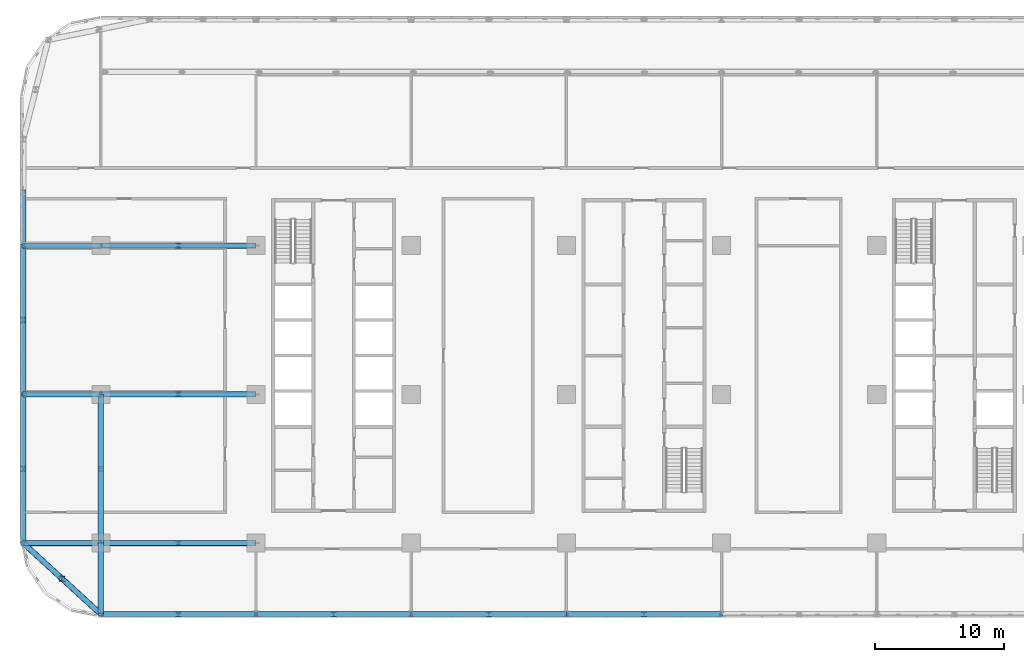
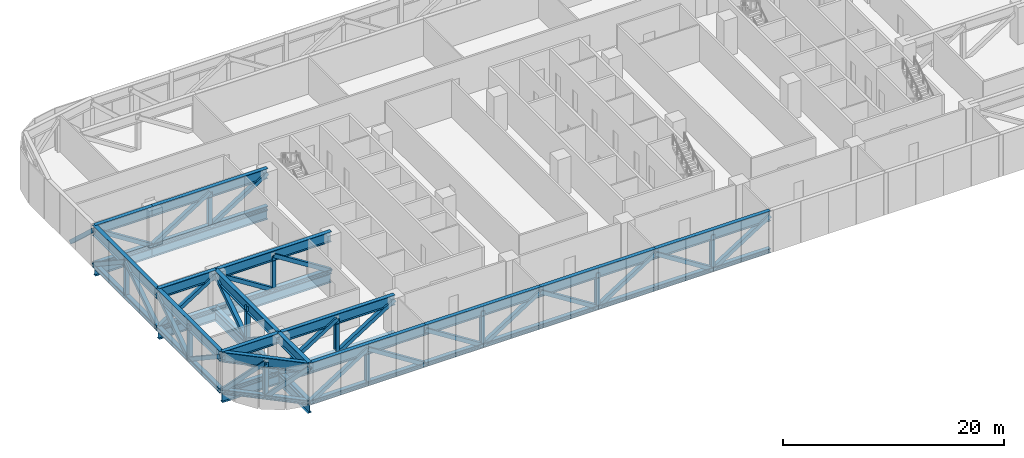
# One storey, part 3 of 26: 68 members, 8 beams.
"""IFC4 building model written with IfcOpenShell, lengths in metres."""

from ifc_helpers import new_model, si_unit, direction, frame, origin, origin_2d, place, context, subcontext, project, spatial, hollow_rectangle, i_section, extrude, material, material_profile, profile_set, type_object, element, save


model = new_model("IFC4")

# Units and contexts
model_context = context("Model", 3, precision=1e-05, world=origin(), true_north=direction((0.0, 1.0)))
body_context = subcontext(model_context, "Body", "Model", "MODEL_VIEW")
ifc_project = project(units=[si_unit("LENGTHUNIT", "METRE"), si_unit("AREAUNIT", "SQUARE_METRE"), si_unit("VOLUMEUNIT", "CUBIC_METRE"), si_unit("PLANEANGLEUNIT", "RADIAN"), si_unit("MASSUNIT", "GRAM", prefix="KILO")], contexts=[model_context])

# Site, building, storey
site_placement = place(None, origin())
site = spatial("IfcSite", under=ifc_project, at=site_placement, CompositionType="ELEMENT")
building_placement = place(site_placement, origin())
building = spatial("IfcBuilding", under=site, at=building_placement, Name="Mahtab Terrace Research Tower", CompositionType="ELEMENT")
storey_placement = place(building_placement, frame((0.0, 0.0, 117.60009765625)))
storey = spatial("IfcBuildingStorey", under=building, at=storey_placement, Name="L27", CompositionType="ELEMENT", Elevation=117.60009765625)

# Members
ifc_material_1 = material(Name="Steel ASTM A500 Gr C", Category="steel")
ifc_material_profile_1 = material_profile(ifc_material_1, hollow_rectangle(XDim=0.406494140625, YDim=0.406494140625, WallThickness=0.015869140625, at=origin_2d()), Name="HSS16X16X5/8")
ifc_profile_set_1 = profile_set([ifc_material_profile_1], Name="Steel ASTM A500 Gr C")
member_type_1 = type_object("IfcMemberType", Name="HSS 16x16x5/8 brace TD161658", PredefinedType="BRACE", material=ifc_profile_set_1)
member_1_placement = place(storey_placement, frame((-48.0, -11.5, -0.308837890625), z_axis=(0.53813025729, -0.493286069182, 0.683435937115), x_axis=(0.675724628517, 0.737154140201, 0.0)))
element("IfcMember", 1, at=member_1_placement, inside=storey, type_object=member_type_1, Name="Transfer truss T3 diagonal 001", PredefinedType="BRACE", context=body_context, shape_type="SweptSolid", body=[
    extrude(hollow_rectangle(XDim=0.406494140625, YDim=0.406494140625, WallThickness=0.015869140625, at=origin_2d()), origin(), (0.0, 0.0, 1.0), 5.574951171875),
])
member_2_placement = place(storey_placement, frame((-42.0, -11.5, -0.308837890625), z_axis=(-0.844178766056, 0.0, 0.536061760379), x_axis=(0.0, -1.0, 0.0)))
element("IfcMember", 2, at=member_2_placement, inside=storey, type_object=member_type_1, Name="Transfer truss T3 diagonal 002", PredefinedType="BRACE", context=body_context, shape_type="SweptSolid", body=[
    extrude(hollow_rectangle(XDim=0.406494140625, YDim=0.406494140625, WallThickness=0.015869140625, at=origin_2d()), origin(), (0.0, 0.0, 1.0), 7.107421875),
])
for number, where, z_axis, x_axis, name in (
    (3, (-48.0, -5.75, -0.308837890625), (0.0, -0.833604360198, 0.55236199241), (1.0, 0.0, 0.0), "Transfer truss T3 diagonal 003"),
    (4, (-48.0, -5.75, -0.308837890625), (0.0, 0.833604360198, 0.55236199241), (-1.0, 0.0, 0.0), "Transfer truss T3 diagonal 004"),
):
    element("IfcMember", number, at=place(storey_placement, frame(where, z_axis=z_axis, x_axis=x_axis)), inside=storey, type_object=member_type_1, Name=name, PredefinedType="BRACE", context=body_context, shape_type="SweptSolid", body=[
        extrude(hollow_rectangle(XDim=0.406494140625, YDim=0.406494140625, WallThickness=0.015869140625, at=origin_2d()), origin(), (0.0, 0.0, 1.0), 6.897705078125),
    ])
member_3_placement = place(storey_placement, frame((-48.0, 0.0, -0.308837890625), z_axis=(0.844178766056, 0.0, 0.536061760379), x_axis=(0.0, 1.0, 0.0)))
element("IfcMember", 5, at=member_3_placement, inside=storey, type_object=member_type_1, Name="Transfer truss T3 diagonal 005", PredefinedType="BRACE", context=body_context, shape_type="SweptSolid", body=[
    extrude(hollow_rectangle(XDim=0.406494140625, YDim=0.406494140625, WallThickness=0.015869140625, at=origin_2d()), origin(), (0.0, 0.0, 1.0), 7.107421875),
])
for number, where, z_axis, x_axis, name in (
    (6, (-48.0, 0.0, -0.308837890625), (0.0, 0.833604360198, 0.55236199241), (-1.0, 0.0, 0.0), "Transfer truss T3 diagonal 006"),
    (7, (-48.0, 11.5, -0.308837890625), (0.0, -0.833604360198, 0.55236199241), (1.0, 0.0, 0.0), "Transfer truss T3 diagonal 007"),
):
    element("IfcMember", number, at=place(storey_placement, frame(where, z_axis=z_axis, x_axis=x_axis)), inside=storey, type_object=member_type_1, Name=name, PredefinedType="BRACE", context=body_context, shape_type="SweptSolid", body=[
        extrude(hollow_rectangle(XDim=0.406494140625, YDim=0.406494140625, WallThickness=0.015869140625, at=origin_2d()), origin(), (0.0, 0.0, 1.0), 6.897705078125),
    ])
member_4_placement = place(storey_placement, frame((-42.0, 11.5, -0.308837890625), z_axis=(-0.844178766056, 0.0, 0.536061760379), x_axis=(0.0, -1.0, 0.0)))
element("IfcMember", 8, at=member_4_placement, inside=storey, type_object=member_type_1, Name="Transfer truss T3 diagonal 008", PredefinedType="BRACE", context=body_context, shape_type="SweptSolid", body=[
    extrude(hollow_rectangle(XDim=0.406494140625, YDim=0.406494140625, WallThickness=0.015869140625, at=origin_2d()), origin(), (0.0, 0.0, 1.0), 7.107421875),
])
member_5_placement = place(storey_placement, frame((-48.0, 15.615966796875, -0.308837890625), z_axis=(0.0, -0.733851486345, 0.679309941035), x_axis=(1.0, 0.0, 0.0)))
element("IfcMember", 9, at=member_5_placement, inside=storey, type_object=member_type_1, Name="Transfer truss T3 diagonal 009", PredefinedType="BRACE", context=body_context, shape_type="SweptSolid", body=[
    extrude(hollow_rectangle(XDim=0.406494140625, YDim=0.406494140625, WallThickness=0.015869140625, at=origin_2d()), origin(), (0.0, 0.0, 1.0), 5.608642578125),
])
member_6_placement = place(storey_placement, frame((-45.0, -14.25, -0.308837890625), z_axis=(0.53813025729, -0.493286069182, 0.683435937115), x_axis=(0.675724628517, 0.737154140201, 0.0)))
element("IfcMember", 10, at=member_6_placement, inside=storey, type_object=member_type_1, Name="Transfer truss T3 diagonal 013", PredefinedType="BRACE", context=body_context, shape_type="SweptSolid", body=[
    extrude(hollow_rectangle(XDim=0.406494140625, YDim=0.406494140625, WallThickness=0.015869140625, at=origin_2d()), origin(), (0.0, 0.0, 1.0), 5.574951171875),
])
member_7_placement = place(storey_placement, frame((-42.0, -17.0, -0.308837890625), z_axis=(0.844178766056, 0.0, 0.536061760379), x_axis=(0.0, 1.0, 0.0)))
element("IfcMember", 11, at=member_7_placement, inside=storey, type_object=member_type_1, Name="Transfer truss T3 diagonal 015", PredefinedType="BRACE", context=body_context, shape_type="SweptSolid", body=[
    extrude(hollow_rectangle(XDim=0.406494140625, YDim=0.406494140625, WallThickness=0.015869140625, at=origin_2d()), origin(), (0.0, 0.0, 1.0), 7.107421875),
])
member_8_placement = place(storey_placement, frame((-42.0, -11.5, -0.308837890625), z_axis=(0.0, -0.822026642287, 0.569449031407), x_axis=(1.0, 0.0, 0.0)))
element("IfcMember", 12, at=member_8_placement, inside=storey, type_object=member_type_1, Name="Transfer truss T3 diagonal 016", PredefinedType="BRACE", context=body_context, shape_type="SweptSolid", body=[
    extrude(hollow_rectangle(XDim=0.406494140625, YDim=0.406494140625, WallThickness=0.015869140625, at=origin_2d()), origin(), (0.0, 0.0, 1.0), 6.690673828125),
])
member_9_placement = place(storey_placement, frame((-42.0, -11.5, -0.308837890625), z_axis=(0.844178766056, 0.0, 0.536061760379), x_axis=(0.0, 1.0, 0.0)))
element("IfcMember", 13, at=member_9_placement, inside=storey, type_object=member_type_1, Name="Transfer truss T3 diagonal 017", PredefinedType="BRACE", context=body_context, shape_type="SweptSolid", body=[
    extrude(hollow_rectangle(XDim=0.406494140625, YDim=0.406494140625, WallThickness=0.015869140625, at=origin_2d()), origin(), (0.0, 0.0, 1.0), 7.107421875),
])
for number, where, z_axis, x_axis, name in (
    (14, (-42.0, -5.75, -0.308837890625), (0.0, -0.833604360198, 0.55236199241), (1.0, 0.0, 0.0), "Transfer truss T3 diagonal 018"),
    (15, (-42.0, -5.75, -0.308837890625), (0.0, 0.833604360198, 0.55236199241), (-1.0, 0.0, 0.0), "Transfer truss T3 diagonal 019"),
):
    element("IfcMember", number, at=place(storey_placement, frame(where, z_axis=z_axis, x_axis=x_axis)), inside=storey, type_object=member_type_1, Name=name, PredefinedType="BRACE", context=body_context, shape_type="SweptSolid", body=[
        extrude(hollow_rectangle(XDim=0.406494140625, YDim=0.406494140625, WallThickness=0.015869140625, at=origin_2d()), origin(), (0.0, 0.0, 1.0), 6.897705078125),
    ])
for number, where, z_axis, x_axis, name in (
    (16, (-36.0, 0.0, -0.308837890625), (-0.844178766056, 0.0, 0.536061760379), (0.0, -1.0, 0.0), "Transfer truss T3 diagonal 020"),
    (17, (-42.0, 11.5, -0.308837890625), (0.844178766056, 0.0, 0.536061760379), (0.0, 1.0, 0.0), "Transfer truss T3 diagonal 021"),
    (18, (-30.0, -17.0, -0.308837890625), (-0.844178766056, 0.0, 0.536061760379), (0.0, -1.0, 0.0), "Transfer truss T3 diagonal 024"),
    (19, (-36.0, -11.5, -0.308837890625), (0.844178766056, 0.0, 0.536061760379), (0.0, 1.0, 0.0), "Transfer truss T3 diagonal 025"),
    (20, (-30.0, 0.0, -0.308837890625), (-0.844178766056, 0.0, 0.536061760379), (0.0, -1.0, 0.0), "Transfer truss T3 diagonal 026"),
    (21, (-36.0, 11.5, -0.308837890625), (0.844178766056, 0.0, 0.536061760379), (0.0, 1.0, 0.0), "Transfer truss T3 diagonal 027"),
    (22, (-24.0, -17.0, -0.308837890625), (-0.844178766056, 0.0, 0.536061760379), (0.0, -1.0, 0.0), "Transfer truss T3 diagonal 030"),
    (23, (-24.0, -17.0, -0.308837890625), (0.844178766056, 0.0, 0.536061760379), (0.0, 1.0, 0.0), "Transfer truss T3 diagonal 033"),
    (24, (-12.0, -17.0, -0.308837890625), (-0.844178766056, 0.0, 0.536061760379), (0.0, -1.0, 0.0), "Transfer truss T3 diagonal 036"),
    (25, (-12.0, -17.0, -0.308837890625), (0.844178766056, 0.0, 0.536061760379), (0.0, 1.0, 0.0), "Transfer truss T3 diagonal 039"),
    (26, (0.0, -17.0, -0.308837890625), (-0.844178766056, 0.0, 0.536061760379), (0.0, -1.0, 0.0), "Transfer truss T3 diagonal 042"),
    (27, (0.0, -17.0, -0.308837890625), (0.844178766056, 0.0, 0.536061760379), (0.0, 1.0, 0.0), "Transfer truss T3 diagonal 045"),
):
    element("IfcMember", number, at=place(storey_placement, frame(where, z_axis=z_axis, x_axis=x_axis)), inside=storey, type_object=member_type_1, Name=name, PredefinedType="BRACE", context=body_context, shape_type="SweptSolid", body=[
        extrude(hollow_rectangle(XDim=0.406494140625, YDim=0.406494140625, WallThickness=0.015869140625, at=origin_2d()), origin(), (0.0, 0.0, 1.0), 7.107421875),
    ])
ifc_material_2 = material(Name="Steel ASTM A992 Gr 50", Category="steel")
ifc_material_profile_2 = material_profile(ifc_material_2, i_section(OverallWidth=0.398681640625, OverallDepth=0.393798828125, WebThickness=0.022705078125, FlangeThickness=0.03662109375, at=origin_2d()), Name="W14X193")
ifc_profile_set_2 = profile_set([ifc_material_profile_2], Name="Steel ASTM A992 Gr 50")
member_type_2 = type_object("IfcMemberType", Name="W14x193 post TP14193", PredefinedType="POST", material=ifc_profile_set_2)
for number, where, z_axis, x_axis, name in (
    (28, (-48.0, -5.75, -0.308837890625), (0.0, 0.0, 1.0), (1.0, 0.0, 0.0), "Transfer truss T3 post 002"),
    (29, (-48.0, 5.75, -0.308837890625), (0.0, 0.0, 1.0), (1.0, 0.0, 0.0), "Transfer truss T3 post 004"),
    (30, (-45.0, -14.25, -0.308837890625), (0.0, 0.0, 1.0), (1.0, 0.0, 0.0), "Transfer truss T3 post 010"),
    (31, (-42.0, -5.75, -0.308837890625), (0.0, 0.0, 1.0), (1.0, 0.0, 0.0), "Transfer truss T3 post 014"),
    (32, (-36.0, -17.0, -0.308837890625), (0.0, 0.0, 1.0), (1.0, 0.0, 0.0), "Transfer truss T3 post 019"),
    (33, (-36.0, -11.5, -0.308837890625), (0.0, 0.0, 1.0), (1.0, 0.0, 0.0), "Transfer truss T3 post 020"),
    (34, (-36.0, 0.0, -0.308837890625), (0.0, 0.0, 1.0), (1.0, 0.0, 0.0), "Transfer truss T3 post 021"),
    (35, (-36.0, 11.5, -0.308837890625), (0.0, 0.0, 1.0), (1.0, 0.0, 0.0), "Transfer truss T3 post 022"),
    (36, (-24.0, -17.0, -0.308837890625), (0.0, 0.0, 1.0), (1.0, 0.0, 0.0), "Transfer truss T3 post 031"),
    (37, (-12.0, -17.0, -0.308837890625), (0.0, 0.0, 1.0), (1.0, 0.0, 0.0), "Transfer truss T3 post 037"),
    (38, (0.0, -17.0, -0.308837890625), (0.0, 0.0, 1.0), (1.0, 0.0, 0.0), "Transfer truss T3 post 043"),
):
    element("IfcMember", number, at=place(storey_placement, frame(where, z_axis=z_axis, x_axis=x_axis)), inside=storey, type_object=member_type_2, Name=name, PredefinedType="POST", context=body_context, shape_type="SweptSolid", body=[
        extrude(i_section(OverallWidth=0.398681640625, OverallDepth=0.393798828125, WebThickness=0.022705078125, FlangeThickness=0.03662109375, at=origin_2d()), origin(), (0.0, 0.0, 1.0), 3.81005859375),
    ])
ifc_material_profile_3 = material_profile(ifc_material_2, i_section(OverallWidth=0.4267578125, OverallDepth=0.482666015625, WebThickness=0.05126953125, FlangeThickness=0.08154296875, at=origin_2d()), Name="W14X455")
ifc_profile_set_3 = profile_set([ifc_material_profile_3], Name="Steel ASTM A992 Gr 50")
member_type_3 = type_object("IfcMemberType", Name="W14x455 chord TC14455", PredefinedType="CHORD", material=ifc_profile_set_3)
member_10_placement = place(storey_placement, frame((-48.0, -11.5, -0.308837890625), z_axis=(0.737154140201, -0.675724628517, 0.0), x_axis=(0.675724628517, 0.737154140201, 0.0)))
element("IfcMember", 39, at=member_10_placement, inside=storey, type_object=member_type_3, Name="Transfer truss T3 bottom chord 001", PredefinedType="CHORD", context=body_context, shape_type="SweptSolid", body=[
    extrude(i_section(OverallWidth=0.4267578125, OverallDepth=0.482666015625, WebThickness=0.05126953125, FlangeThickness=0.08154296875, at=origin_2d()), origin(), (0.0, 0.0, 1.0), 8.139404296875),
])
member_11_placement = place(storey_placement, frame((-48.0, -11.5, -0.308837890625), z_axis=(1.0, 0.0, 0.0), x_axis=(0.0, 1.0, 0.0)))
element("IfcMember", 40, at=member_11_placement, inside=storey, type_object=member_type_3, Name="Transfer truss T3 bottom chord 002", PredefinedType="CHORD", context=body_context, shape_type="SweptSolid", body=[
    extrude(i_section(OverallWidth=0.4267578125, OverallDepth=0.482666015625, WebThickness=0.05126953125, FlangeThickness=0.08154296875, at=origin_2d()), origin(), (0.0, 0.0, 1.0), 6.0),
])
member_12_placement = place(storey_placement, frame((-42.0, -11.5, -0.308837890625), z_axis=(1.0, 0.0, 0.0), x_axis=(0.0, 1.0, 0.0)))
element("IfcMember", 41, at=member_12_placement, inside=storey, type_object=member_type_3, Name="Transfer truss T3 bottom chord 003", PredefinedType="CHORD", context=body_context, shape_type="SweptSolid", body=[
    extrude(i_section(OverallWidth=0.4267578125, OverallDepth=0.482666015625, WebThickness=0.05126953125, FlangeThickness=0.08154296875, at=origin_2d()), origin(), (0.0, 0.0, 1.0), 12.0),
])
for number, where, z_axis, x_axis, name in (
    (42, (-48.0, 11.5, -0.308837890625), (0.0, -1.0, 0.0), (1.0, 0.0, 0.0), "Transfer truss T3 bottom chord 005"),
    (43, (-48.0, 0.0, -0.308837890625), (0.0, -1.0, 0.0), (1.0, 0.0, 0.0), "Transfer truss T3 bottom chord 006"),
):
    element("IfcMember", number, at=place(storey_placement, frame(where, z_axis=z_axis, x_axis=x_axis)), inside=storey, type_object=member_type_3, Name=name, PredefinedType="CHORD", context=body_context, shape_type="SweptSolid", body=[
        extrude(i_section(OverallWidth=0.4267578125, OverallDepth=0.482666015625, WebThickness=0.05126953125, FlangeThickness=0.08154296875, at=origin_2d()), origin(), (0.0, 0.0, 1.0), 11.5),
    ])
member_13_placement = place(storey_placement, frame((-48.0, 0.0, -0.308837890625), z_axis=(1.0, 0.0, 0.0), x_axis=(0.0, 1.0, 0.0)))
element("IfcMember", 44, at=member_13_placement, inside=storey, type_object=member_type_3, Name="Transfer truss T3 bottom chord 007", PredefinedType="CHORD", context=body_context, shape_type="SweptSolid", body=[
    extrude(i_section(OverallWidth=0.4267578125, OverallDepth=0.482666015625, WebThickness=0.05126953125, FlangeThickness=0.08154296875, at=origin_2d()), origin(), (0.0, 0.0, 1.0), 6.0),
])
member_14_placement = place(storey_placement, frame((-42.0, 0.0, -0.308837890625), z_axis=(1.0, 0.0, 0.0), x_axis=(0.0, 1.0, 0.0)))
element("IfcMember", 45, at=member_14_placement, inside=storey, type_object=member_type_3, Name="Transfer truss T3 bottom chord 008", PredefinedType="CHORD", context=body_context, shape_type="SweptSolid", body=[
    extrude(i_section(OverallWidth=0.4267578125, OverallDepth=0.482666015625, WebThickness=0.05126953125, FlangeThickness=0.08154296875, at=origin_2d()), origin(), (0.0, 0.0, 1.0), 12.0),
])
member_15_placement = place(storey_placement, frame((-48.0, 11.5, -0.308837890625), z_axis=(1.0, 0.0, 0.0), x_axis=(0.0, 1.0, 0.0)))
element("IfcMember", 46, at=member_15_placement, inside=storey, type_object=member_type_3, Name="Transfer truss T3 bottom chord 009", PredefinedType="CHORD", context=body_context, shape_type="SweptSolid", body=[
    extrude(i_section(OverallWidth=0.4267578125, OverallDepth=0.482666015625, WebThickness=0.05126953125, FlangeThickness=0.08154296875, at=origin_2d()), origin(), (0.0, 0.0, 1.0), 6.0),
])
for number, where, z_axis, x_axis, name in (
    (47, (-42.0, 11.5, -0.308837890625), (1.0, 0.0, 0.0), (0.0, 1.0, 0.0), "Transfer truss T3 bottom chord 010"),
    (48, (-42.0, -17.0, -0.308837890625), (1.0, 0.0, 0.0), (0.0, 1.0, 0.0), "Transfer truss T3 bottom chord 013"),
    (49, (-30.0, -17.0, -0.308837890625), (1.0, 0.0, 0.0), (0.0, 1.0, 0.0), "Transfer truss T3 bottom chord 014"),
    (50, (-18.0, -17.0, -0.308837890625), (1.0, 0.0, 0.0), (0.0, 1.0, 0.0), "Transfer truss T3 bottom chord 015"),
    (51, (-6.0, -17.0, -0.308837890625), (1.0, 0.0, 0.0), (0.0, 1.0, 0.0), "Transfer truss T3 bottom chord 016"),
):
    element("IfcMember", number, at=place(storey_placement, frame(where, z_axis=z_axis, x_axis=x_axis)), inside=storey, type_object=member_type_3, Name=name, PredefinedType="CHORD", context=body_context, shape_type="SweptSolid", body=[
        extrude(i_section(OverallWidth=0.4267578125, OverallDepth=0.482666015625, WebThickness=0.05126953125, FlangeThickness=0.08154296875, at=origin_2d()), origin(), (0.0, 0.0, 1.0), 12.0),
    ])
member_16_placement = place(storey_placement, frame((-42.0, -17.0, -0.308837890625), z_axis=(0.0, 1.0, 0.0), x_axis=(-1.0, 0.0, 0.0)))
element("IfcMember", 52, at=member_16_placement, inside=storey, type_object=member_type_3, Name="Transfer truss T3 bottom chord 020", PredefinedType="CHORD", context=body_context, shape_type="SweptSolid", body=[
    extrude(i_section(OverallWidth=0.4267578125, OverallDepth=0.482666015625, WebThickness=0.05126953125, FlangeThickness=0.08154296875, at=origin_2d()), origin(), (0.0, 0.0, 1.0), 5.5),
])
member_17_placement = place(storey_placement, frame((-42.0, -11.5, -0.308837890625), z_axis=(0.0, 1.0, 0.0), x_axis=(-1.0, 0.0, 0.0)))
element("IfcMember", 53, at=member_17_placement, inside=storey, type_object=member_type_3, Name="Transfer truss T3 bottom chord 021", PredefinedType="CHORD", context=body_context, shape_type="SweptSolid", body=[
    extrude(i_section(OverallWidth=0.4267578125, OverallDepth=0.482666015625, WebThickness=0.05126953125, FlangeThickness=0.08154296875, at=origin_2d()), origin(), (0.0, 0.0, 1.0), 11.5),
])

# Beams
ifc_material_profile_4 = material_profile(ifc_material_2, i_section(OverallWidth=0.4013671875, OverallDepth=1.000732421875, WebThickness=0.01904296875, FlangeThickness=0.0361328125, at=origin_2d()), Name="W40X249")
ifc_profile_set_4 = profile_set([ifc_material_profile_4], Name="Steel ASTM A992 Gr 50")
beam_type = type_object("IfcBeamType", Name="W40x249 transfer girder TG40249", PredefinedType="BEAM", material=ifc_profile_set_4)
beam_1_placement = place(storey_placement, frame((-48.0, 11.5, -1.048583984375), z_axis=(1.0, 0.0, 0.0), x_axis=(0.0, 1.0, 0.0)))
element("IfcBeam", 54, at=beam_1_placement, inside=storey, type_object=beam_type, Name="Transfer girder T3 01", PredefinedType="BEAM", context=body_context, shape_type="SweptSolid", body=[
    extrude(i_section(OverallWidth=0.4013671875, OverallDepth=1.000732421875, WebThickness=0.01904296875, FlangeThickness=0.0361328125, at=origin_2d()), origin(), (0.0, 0.0, 1.0), 6.0),
])
beam_2_placement = place(storey_placement, frame((-42.0, 11.5, -1.048583984375), z_axis=(1.0, 0.0, 0.0), x_axis=(0.0, 1.0, 0.0)))
element("IfcBeam", 55, at=beam_2_placement, inside=storey, type_object=beam_type, Name="Transfer girder T3 02", PredefinedType="BEAM", context=body_context, shape_type="SweptSolid", body=[
    extrude(i_section(OverallWidth=0.4013671875, OverallDepth=1.000732421875, WebThickness=0.01904296875, FlangeThickness=0.0361328125, at=origin_2d()), origin(), (0.0, 0.0, 1.0), 12.0),
])
beam_3_placement = place(storey_placement, frame((-48.0, 0.0, -1.048583984375), z_axis=(1.0, 0.0, 0.0), x_axis=(0.0, 1.0, 0.0)))
element("IfcBeam", 56, at=beam_3_placement, inside=storey, type_object=beam_type, Name="Transfer girder T3 03", PredefinedType="BEAM", context=body_context, shape_type="SweptSolid", body=[
    extrude(i_section(OverallWidth=0.4013671875, OverallDepth=1.000732421875, WebThickness=0.01904296875, FlangeThickness=0.0361328125, at=origin_2d()), origin(), (0.0, 0.0, 1.0), 6.0),
])
beam_4_placement = place(storey_placement, frame((-42.0, 0.0, -1.048583984375), z_axis=(1.0, 0.0, 0.0), x_axis=(0.0, 1.0, 0.0)))
element("IfcBeam", 57, at=beam_4_placement, inside=storey, type_object=beam_type, Name="Transfer girder T3 04", PredefinedType="BEAM", context=body_context, shape_type="SweptSolid", body=[
    extrude(i_section(OverallWidth=0.4013671875, OverallDepth=1.000732421875, WebThickness=0.01904296875, FlangeThickness=0.0361328125, at=origin_2d()), origin(), (0.0, 0.0, 1.0), 12.0),
])
beam_5_placement = place(storey_placement, frame((-48.0, -11.5, -1.048583984375), z_axis=(1.0, 0.0, 0.0), x_axis=(0.0, 1.0, 0.0)))
element("IfcBeam", 58, at=beam_5_placement, inside=storey, type_object=beam_type, Name="Transfer girder T3 05", PredefinedType="BEAM", context=body_context, shape_type="SweptSolid", body=[
    extrude(i_section(OverallWidth=0.4013671875, OverallDepth=1.000732421875, WebThickness=0.01904296875, FlangeThickness=0.0361328125, at=origin_2d()), origin(), (0.0, 0.0, 1.0), 6.0),
])
beam_6_placement = place(storey_placement, frame((-42.0, -11.5, -1.048583984375), z_axis=(1.0, 0.0, 0.0), x_axis=(0.0, 1.0, 0.0)))
element("IfcBeam", 59, at=beam_6_placement, inside=storey, type_object=beam_type, Name="Transfer girder T3 06", PredefinedType="BEAM", context=body_context, shape_type="SweptSolid", body=[
    extrude(i_section(OverallWidth=0.4013671875, OverallDepth=1.000732421875, WebThickness=0.01904296875, FlangeThickness=0.0361328125, at=origin_2d()), origin(), (0.0, 0.0, 1.0), 12.0),
])
beam_7_placement = place(storey_placement, frame((-42.0, -17.0, -1.048583984375), z_axis=(0.0, 1.0, 0.0), x_axis=(-1.0, 0.0, 0.0)))
element("IfcBeam", 60, at=beam_7_placement, inside=storey, type_object=beam_type, Name="Transfer girder T3 07", PredefinedType="BEAM", context=body_context, shape_type="SweptSolid", body=[
    extrude(i_section(OverallWidth=0.4013671875, OverallDepth=1.000732421875, WebThickness=0.01904296875, FlangeThickness=0.0361328125, at=origin_2d()), origin(), (0.0, 0.0, 1.0), 5.5),
])
beam_8_placement = place(storey_placement, frame((-42.0, -11.5, -1.048583984375), z_axis=(0.0, 1.0, 0.0), x_axis=(-1.0, 0.0, 0.0)))
element("IfcBeam", 61, at=beam_8_placement, inside=storey, type_object=beam_type, Name="Transfer girder T3 08", PredefinedType="BEAM", context=body_context, shape_type="SweptSolid", body=[
    extrude(i_section(OverallWidth=0.4013671875, OverallDepth=1.000732421875, WebThickness=0.01904296875, FlangeThickness=0.0361328125, at=origin_2d()), origin(), (0.0, 0.0, 1.0), 11.5),
])

# Members
ifc_material_profile_5 = material_profile(ifc_material_2, i_section(OverallWidth=0.40380859375, OverallDepth=1.11767578125, WebThickness=0.026123046875, FlangeThickness=0.044921875, at=origin_2d()), Name="W44X335")
ifc_profile_set_5 = profile_set([ifc_material_profile_5], Name="Steel ASTM A992 Gr 50")
member_type_4 = type_object("IfcMemberType", Name="W44x335 chord TT44335", PredefinedType="CHORD", material=ifc_profile_set_5)
member_18_placement = place(storey_placement, frame((-48.0, -11.5, 3.501220703125), z_axis=(0.737154140201, -0.675724628517, 0.0), x_axis=(0.675724628517, 0.737154140201, 0.0)))
element("IfcMember", 62, at=member_18_placement, inside=storey, type_object=member_type_4, Name="Transfer truss T3 top chord 001", PredefinedType="CHORD", context=body_context, shape_type="SweptSolid", body=[
    extrude(i_section(OverallWidth=0.40380859375, OverallDepth=1.11767578125, WebThickness=0.026123046875, FlangeThickness=0.044921875, at=origin_2d()), origin(), (0.0, 0.0, 1.0), 8.139404296875),
])
member_19_placement = place(storey_placement, frame((-48.0, -11.5, 3.501220703125), z_axis=(1.0, 0.0, 0.0), x_axis=(0.0, 1.0, 0.0)))
element("IfcMember", 63, at=member_19_placement, inside=storey, type_object=member_type_4, Name="Transfer truss T3 top chord 002", PredefinedType="CHORD", context=body_context, shape_type="SweptSolid", body=[
    extrude(i_section(OverallWidth=0.40380859375, OverallDepth=1.11767578125, WebThickness=0.026123046875, FlangeThickness=0.044921875, at=origin_2d()), origin(), (0.0, 0.0, 1.0), 6.0),
])
member_20_placement = place(storey_placement, frame((-42.0, -11.5, 3.501220703125), z_axis=(1.0, 0.0, 0.0), x_axis=(0.0, 1.0, 0.0)))
element("IfcMember", 64, at=member_20_placement, inside=storey, type_object=member_type_4, Name="Transfer truss T3 top chord 003", PredefinedType="CHORD", context=body_context, shape_type="SweptSolid", body=[
    extrude(i_section(OverallWidth=0.40380859375, OverallDepth=1.11767578125, WebThickness=0.026123046875, FlangeThickness=0.044921875, at=origin_2d()), origin(), (0.0, 0.0, 1.0), 12.0),
])
for number, where, z_axis, x_axis, name in (
    (65, (-48.0, 11.5, 3.501220703125), (0.0, -1.0, 0.0), (1.0, 0.0, 0.0), "Transfer truss T3 top chord 005"),
    (66, (-48.0, 0.0, 3.501220703125), (0.0, -1.0, 0.0), (1.0, 0.0, 0.0), "Transfer truss T3 top chord 006"),
):
    element("IfcMember", number, at=place(storey_placement, frame(where, z_axis=z_axis, x_axis=x_axis)), inside=storey, type_object=member_type_4, Name=name, PredefinedType="CHORD", context=body_context, shape_type="SweptSolid", body=[
        extrude(i_section(OverallWidth=0.40380859375, OverallDepth=1.11767578125, WebThickness=0.026123046875, FlangeThickness=0.044921875, at=origin_2d()), origin(), (0.0, 0.0, 1.0), 11.5),
    ])
member_21_placement = place(storey_placement, frame((-48.0, 0.0, 3.501220703125), z_axis=(1.0, 0.0, 0.0), x_axis=(0.0, 1.0, 0.0)))
element("IfcMember", 67, at=member_21_placement, inside=storey, type_object=member_type_4, Name="Transfer truss T3 top chord 007", PredefinedType="CHORD", context=body_context, shape_type="SweptSolid", body=[
    extrude(i_section(OverallWidth=0.40380859375, OverallDepth=1.11767578125, WebThickness=0.026123046875, FlangeThickness=0.044921875, at=origin_2d()), origin(), (0.0, 0.0, 1.0), 6.0),
])
member_22_placement = place(storey_placement, frame((-42.0, 0.0, 3.501220703125), z_axis=(1.0, 0.0, 0.0), x_axis=(0.0, 1.0, 0.0)))
element("IfcMember", 68, at=member_22_placement, inside=storey, type_object=member_type_4, Name="Transfer truss T3 top chord 008", PredefinedType="CHORD", context=body_context, shape_type="SweptSolid", body=[
    extrude(i_section(OverallWidth=0.40380859375, OverallDepth=1.11767578125, WebThickness=0.026123046875, FlangeThickness=0.044921875, at=origin_2d()), origin(), (0.0, 0.0, 1.0), 12.0),
])
member_23_placement = place(storey_placement, frame((-48.0, 11.5, 3.501220703125), z_axis=(1.0, 0.0, 0.0), x_axis=(0.0, 1.0, 0.0)))
element("IfcMember", 69, at=member_23_placement, inside=storey, type_object=member_type_4, Name="Transfer truss T3 top chord 009", PredefinedType="CHORD", context=body_context, shape_type="SweptSolid", body=[
    extrude(i_section(OverallWidth=0.40380859375, OverallDepth=1.11767578125, WebThickness=0.026123046875, FlangeThickness=0.044921875, at=origin_2d()), origin(), (0.0, 0.0, 1.0), 6.0),
])
for number, where, z_axis, x_axis, name in (
    (70, (-42.0, 11.5, 3.501220703125), (1.0, 0.0, 0.0), (0.0, 1.0, 0.0), "Transfer truss T3 top chord 010"),
    (71, (-42.0, -17.0, 3.501220703125), (1.0, 0.0, 0.0), (0.0, 1.0, 0.0), "Transfer truss T3 top chord 013"),
    (72, (-30.0, -17.0, 3.501220703125), (1.0, 0.0, 0.0), (0.0, 1.0, 0.0), "Transfer truss T3 top chord 014"),
    (73, (-18.0, -17.0, 3.501220703125), (1.0, 0.0, 0.0), (0.0, 1.0, 0.0), "Transfer truss T3 top chord 015"),
    (74, (-6.0, -17.0, 3.501220703125), (1.0, 0.0, 0.0), (0.0, 1.0, 0.0), "Transfer truss T3 top chord 016"),
):
    element("IfcMember", number, at=place(storey_placement, frame(where, z_axis=z_axis, x_axis=x_axis)), inside=storey, type_object=member_type_4, Name=name, PredefinedType="CHORD", context=body_context, shape_type="SweptSolid", body=[
        extrude(i_section(OverallWidth=0.40380859375, OverallDepth=1.11767578125, WebThickness=0.026123046875, FlangeThickness=0.044921875, at=origin_2d()), origin(), (0.0, 0.0, 1.0), 12.0),
    ])
member_24_placement = place(storey_placement, frame((-42.0, -17.0, 3.501220703125), z_axis=(0.0, 1.0, 0.0), x_axis=(-1.0, 0.0, 0.0)))
element("IfcMember", 75, at=member_24_placement, inside=storey, type_object=member_type_4, Name="Transfer truss T3 top chord 020", PredefinedType="CHORD", context=body_context, shape_type="SweptSolid", body=[
    extrude(i_section(OverallWidth=0.40380859375, OverallDepth=1.11767578125, WebThickness=0.026123046875, FlangeThickness=0.044921875, at=origin_2d()), origin(), (0.0, 0.0, 1.0), 5.5),
])
member_25_placement = place(storey_placement, frame((-42.0, -11.5, 3.501220703125), z_axis=(0.0, 1.0, 0.0), x_axis=(-1.0, 0.0, 0.0)))
element("IfcMember", 76, at=member_25_placement, inside=storey, type_object=member_type_4, Name="Transfer truss T3 top chord 021", PredefinedType="CHORD", context=body_context, shape_type="SweptSolid", body=[
    extrude(i_section(OverallWidth=0.40380859375, OverallDepth=1.11767578125, WebThickness=0.026123046875, FlangeThickness=0.044921875, at=origin_2d()), origin(), (0.0, 0.0, 1.0), 11.5),
])

save(model, "model.ifc")
